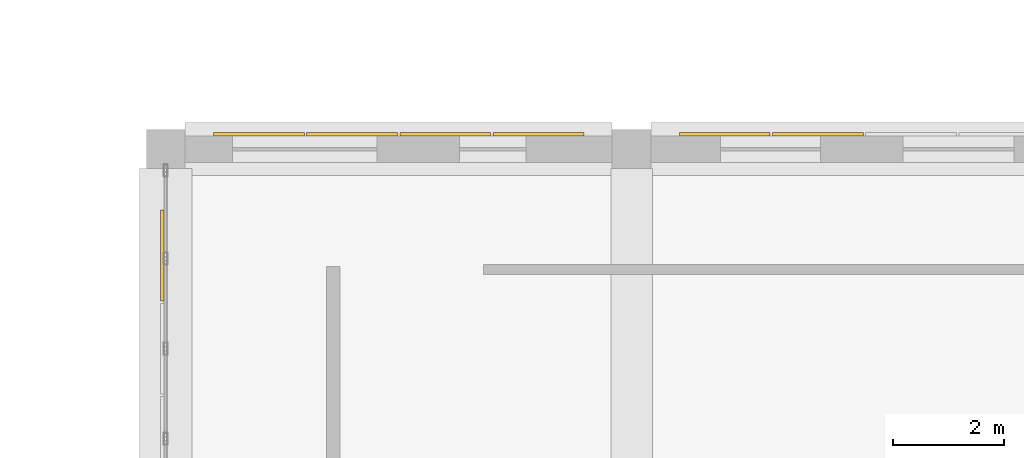
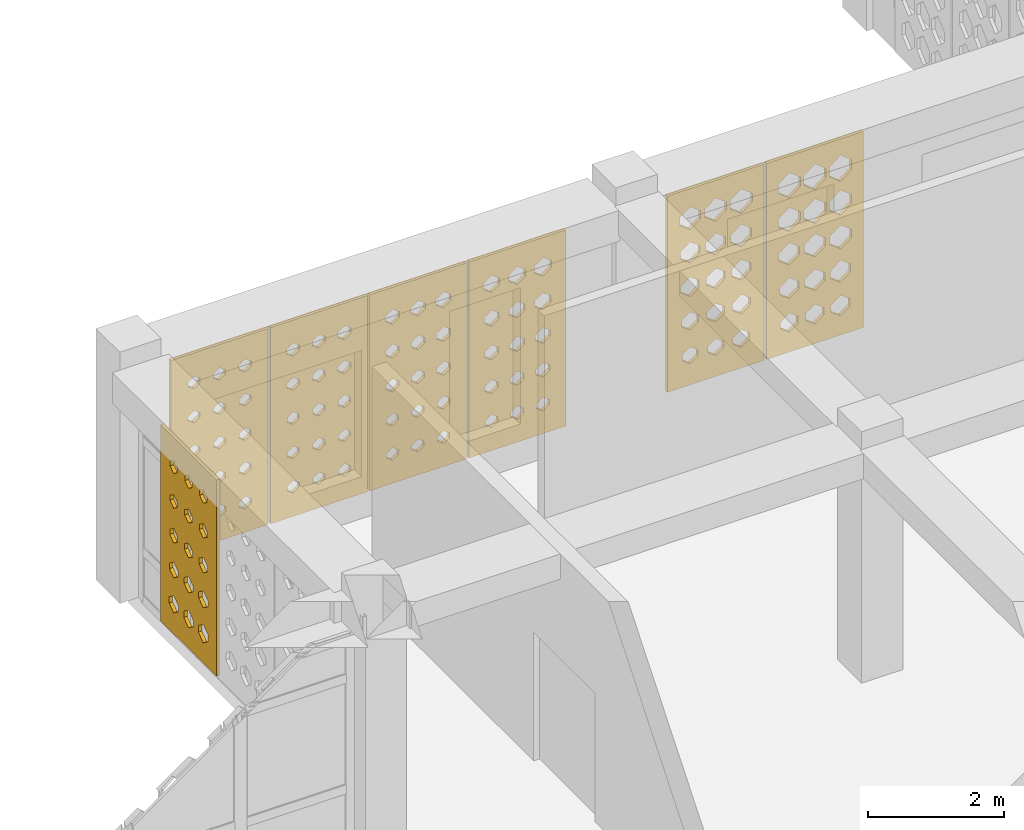
# One storey, part 88 of 100: 7 coverings.
"""IFC4 building model written with IfcOpenShell, lengths in metres."""

from ifc_helpers import new_model, si_unit, derived_unit, direction, frame, origin, place, context, subcontext, project, spatial, polyline, outline, extrude, material, layer, layer_set, type_object, element, save


model = new_model("IFC4")

# Units and contexts
model_context = context("Model", 3, precision=1e-05, world=origin(), true_north=direction((0.0, 1.0)))
body_context = subcontext(model_context, "Body", "Model", "MODEL_VIEW")
ifc_project = project(units=[si_unit("LENGTHUNIT", "METRE"), si_unit("AREAUNIT", "SQUARE_METRE"), si_unit("VOLUMEUNIT", "CUBIC_METRE"), si_unit("PLANEANGLEUNIT", "RADIAN"), si_unit("MASSUNIT", "GRAM", prefix="KILO"), derived_unit("THERMALTRANSMITTANCEUNIT", [(si_unit("POWERUNIT", "WATT"), 1), (si_unit("LENGTHUNIT", "METRE"), -2), (si_unit("THERMODYNAMICTEMPERATUREUNIT", "KELVIN"), -1)])], contexts=[model_context])

# Site, building, storey
site_placement = place(None, origin())
site = spatial("IfcSite", under=ifc_project, at=site_placement, CompositionType="ELEMENT")
building_placement = place(site_placement, origin())
building = spatial("IfcBuilding", under=site, at=building_placement, Name="Veybourne Emporium", CompositionType="ELEMENT")
storey_placement = place(building_placement, frame((0.0, 0.0, 14.39990234375)))
storey = spatial("IfcBuildingStorey", under=building, at=storey_placement, Name="L03", CompositionType="ELEMENT", Elevation=14.39990234375)

# Coverings
ifc_material = material(Name="Warm-White Perforated Aluminium Screen Alloy", Category="aluminium")
ifc_layer_1 = layer(ifc_material, 0.06005859375)
ifc_layer_set_1 = layer_set([ifc_layer_1], Name="Warm-White Perforated Aluminium Screen Alloy")
covering_type_1 = type_object("IfcCoveringType", Name="WaveScreen_SCR-01", PredefinedType="CLADDING", material=ifc_layer_set_1)
covering_1_placement = place(storey_placement, frame((23.52001953125, 86.697998046875, 1.815185546875), z_axis=(0.0, -1.0, 0.0), x_axis=(1.0, 0.0, 0.0)))
element("IfcCovering", 1, at=covering_1_placement, inside=storey, type_object=covering_type_1, Name="L03 wave-perforated aluminium screen SCR-01 (17.4)", PredefinedType="CLADDING", context=body_context, shape_type="SweptSolid", body=[
    extrude(outline(polyline([(-0.81982421875, -1.7548828125), (0.81982421875, -1.7548828125), (0.81982421875, 1.7548828125), (-0.81982421875, 1.7548828125), (-0.81982421875, -1.7548828125)]), holes=[polyline([(-0.433349609375, -1.11181640625), (-0.328369140625, -1.186279296875), (-0.328369140625, -1.269775390625), (-0.433349609375, -1.34423828125), (-0.538330078125, -1.269775390625), (-0.538330078125, -1.186279296875), (-0.433349609375, -1.11181640625)]), polyline([(-0.433349609375, -0.4912109375), (-0.322998046875, -0.56982421875), (-0.322998046875, -0.658203125), (-0.433349609375, -0.73681640625), (-0.543701171875, -0.658203125), (-0.543701171875, -0.56982421875), (-0.433349609375, -0.4912109375)]), polyline([(-0.433349609375, 0.131103515625), (-0.31591796875, 0.047119140625), (-0.31591796875, -0.047119140625), (-0.433349609375, -0.131103515625), (-0.55078125, -0.047119140625), (-0.55078125, 0.047119140625), (-0.433349609375, 0.131103515625)]), polyline([(-0.433349609375, 0.755615234375), (-0.3076171875, 0.6650390625), (-0.3076171875, 0.56298828125), (-0.433349609375, 0.472412109375), (-0.55908203125, 0.56298828125), (-0.55908203125, 0.6650390625), (-0.433349609375, 0.755615234375)]), polyline([(-0.433349609375, 1.381591796875), (-0.2978515625, 1.283203125), (-0.2978515625, 1.1728515625), (-0.433349609375, 1.074462890625), (-0.56884765625, 1.1728515625), (-0.56884765625, 1.283203125), (-0.433349609375, 1.381591796875)]), polyline([(0.0, -1.109130859375), (0.107421875, -1.185302734375), (0.107421875, -1.270751953125), (0.0, -1.346923828125), (-0.107421875, -1.270751953125), (-0.107421875, -1.185302734375), (0.0, -1.109130859375)]), polyline([(0.0, -0.48779296875), (0.11328125, -0.568603515625), (0.11328125, -0.659423828125), (0.0, -0.740234375), (-0.11328125, -0.659423828125), (-0.11328125, -0.568603515625), (0.0, -0.48779296875)]), polyline([(0.0, 0.1357421875), (0.12109375, 0.048828125), (0.12109375, -0.048828125), (0.0, -0.1357421875), (-0.12109375, -0.048828125), (-0.12109375, 0.048828125), (0.0, 0.1357421875)]), polyline([(0.0, 0.7607421875), (0.130126953125, 0.6669921875), (0.130126953125, 0.56103515625), (0.0, 0.46728515625), (-0.130126953125, 0.56103515625), (-0.130126953125, 0.6669921875), (0.0, 0.7607421875)]), polyline([(0.0, 1.38720703125), (0.140380859375, 1.285400390625), (0.140380859375, 1.170654296875), (0.0, 1.06884765625), (-0.140380859375, 1.170654296875), (-0.140380859375, 1.285400390625), (0.0, 1.38720703125)]), polyline([(0.433349609375, -1.10595703125), (0.543212890625, -1.18408203125), (0.543212890625, -1.27197265625), (0.433349609375, -1.35009765625), (0.323486328125, -1.27197265625), (0.323486328125, -1.18408203125), (0.433349609375, -1.10595703125)]), polyline([(0.433349609375, -0.483642578125), (0.550048828125, -0.567138671875), (0.550048828125, -0.660888671875), (0.433349609375, -0.744384765625), (0.316650390625, -0.660888671875), (0.316650390625, -0.567138671875), (0.433349609375, -0.483642578125)]), polyline([(0.433349609375, 0.140625), (0.558349609375, 0.050537109375), (0.558349609375, -0.050537109375), (0.433349609375, -0.140625), (0.308349609375, -0.050537109375), (0.308349609375, 0.050537109375), (0.433349609375, 0.140625)]), polyline([(0.433349609375, 0.766357421875), (0.568115234375, 0.668701171875), (0.568115234375, 0.55908203125), (0.433349609375, 0.461669921875), (0.298583984375, 0.55908203125), (0.298583984375, 0.668701171875), (0.433349609375, 0.766357421875)]), polyline([(0.433349609375, 1.393310546875), (0.57861328125, 1.28759765625), (0.57861328125, 1.16845703125), (0.433349609375, 1.062744140625), (0.2880859375, 1.16845703125), (0.2880859375, 1.28759765625), (0.433349609375, 1.393310546875)])]), origin(), (0.0, 0.0, 1.0), 0.06005859375),
])
covering_2_placement = place(storey_placement, frame((16.70703125, 84.47998046875, 1.815185546875), z_axis=(1.0, 0.0, 0.0), x_axis=(0.0, 1.0, 0.0)))
element("IfcCovering", 2, at=covering_2_placement, inside=storey, type_object=covering_type_1, Name="L03 wave-perforated aluminium screen SCR-01 (18C.3)", PredefinedType="CLADDING", context=body_context, shape_type="SweptSolid", body=[
    extrude(outline(polyline([(-0.81982421875, -1.7548828125), (0.81982421875, -1.7548828125), (0.81982421875, 1.7548828125), (-0.81982421875, 1.7548828125), (-0.81982421875, -1.7548828125)]), holes=[polyline([(-0.433349609375, -1.0634765625), (-0.288818359375, -1.168701171875), (-0.288818359375, -1.287109375), (-0.433349609375, -1.392578125), (-0.577880859375, -1.287109375), (-0.577880859375, -1.168701171875), (-0.433349609375, -1.0634765625)]), polyline([(-0.433349609375, -0.46240234375), (-0.29931640625, -0.559326171875), (-0.29931640625, -0.668701171875), (-0.433349609375, -0.765625), (-0.5673828125, -0.668701171875), (-0.5673828125, -0.559326171875), (-0.433349609375, -0.46240234375)]), polyline([(-0.433349609375, 0.139892578125), (-0.308837890625, 0.05029296875), (-0.308837890625, -0.05029296875), (-0.433349609375, -0.139892578125), (-0.557861328125, -0.05029296875), (-0.557861328125, 0.05029296875), (-0.433349609375, 0.139892578125)]), polyline([(-0.433349609375, 0.743896484375), (-0.317138671875, 0.660888671875), (-0.317138671875, 0.567138671875), (-0.433349609375, 0.484130859375), (-0.549560546875, 0.567138671875), (-0.549560546875, 0.660888671875), (-0.433349609375, 0.743896484375)]), polyline([(-0.433349609375, 1.349609375), (-0.32373046875, 1.271728515625), (-0.32373046875, 1.18408203125), (-0.433349609375, 1.1064453125), (-0.542724609375, 1.18408203125), (-0.542724609375, 1.271728515625), (-0.433349609375, 1.349609375)]), polyline([(0.0, -1.069580078125), (0.1396484375, -1.1708984375), (0.1396484375, -1.28515625), (0.0, -1.386474609375), (-0.1396484375, -1.28515625), (-0.1396484375, -1.1708984375), (0.0, -1.069580078125)]), polyline([(0.0, -0.4677734375), (0.129638671875, -0.561279296875), (0.129638671875, -0.66650390625), (0.0, -0.76025390625), (-0.129638671875, -0.66650390625), (-0.129638671875, -0.561279296875), (0.0, -0.4677734375)]), polyline([(0.0, 0.13525390625), (0.12060546875, 0.048583984375), (0.12060546875, -0.048583984375), (0.0, -0.13525390625), (-0.12060546875, -0.048583984375), (-0.12060546875, 0.048583984375), (0.0, 0.13525390625)]), polyline([(0.0, 0.739990234375), (0.113037109375, 0.6591796875), (0.113037109375, 0.568603515625), (0.0, 0.488037109375), (-0.113037109375, 0.568603515625), (-0.113037109375, 0.6591796875), (0.0, 0.739990234375)]), polyline([(0.0, 1.346435546875), (0.10693359375, 1.270751953125), (0.10693359375, 1.185302734375), (0.0, 1.109619140625), (-0.10693359375, 1.185302734375), (-0.10693359375, 1.270751953125), (0.0, 1.346435546875)]), polyline([(0.433349609375, -1.0751953125), (0.568359375, -1.173095703125), (0.568359375, -1.282958984375), (0.433349609375, -1.380859375), (0.29833984375, -1.282958984375), (0.29833984375, -1.173095703125), (0.433349609375, -1.0751953125)]), polyline([(0.433349609375, -0.472900390625), (0.55859375, -0.563232421875), (0.55859375, -0.664794921875), (0.433349609375, -0.7548828125), (0.30810546875, -0.664794921875), (0.30810546875, -0.563232421875), (0.433349609375, -0.472900390625)]), polyline([(0.433349609375, 0.130615234375), (0.55029296875, 0.047119140625), (0.55029296875, -0.047119140625), (0.433349609375, -0.130615234375), (0.31640625, -0.047119140625), (0.31640625, 0.047119140625), (0.433349609375, 0.130615234375)]), polyline([(0.433349609375, 0.736328125), (0.54345703125, 0.657958984375), (0.54345703125, 0.570068359375), (0.433349609375, 0.49169921875), (0.3232421875, 0.570068359375), (0.3232421875, 0.657958984375), (0.433349609375, 0.736328125)]), polyline([(0.433349609375, 1.343994140625), (0.5380859375, 1.269775390625), (0.5380859375, 1.186279296875), (0.433349609375, 1.112060546875), (0.32861328125, 1.186279296875), (0.32861328125, 1.269775390625), (0.433349609375, 1.343994140625)])]), origin(), (0.0, 0.0, 1.0), 0.06005859375),
])
covering_3_placement = place(storey_placement, frame((26.8798828125, 86.697998046875, 1.815185546875), z_axis=(0.0, -1.0, 0.0), x_axis=(1.0, 0.0, 0.0)))
element("IfcCovering", 3, at=covering_3_placement, inside=storey, type_object=covering_type_1, Name="L03 wave-perforated aluminium screen SCR-01 (20.1)", PredefinedType="CLADDING", context=body_context, shape_type="SweptSolid", body=[
    extrude(outline(polyline([(-0.81982421875, -1.7548828125), (0.81982421875, -1.7548828125), (0.81982421875, 1.7548828125), (-0.81982421875, 1.7548828125), (-0.81982421875, -1.7548828125)]), holes=[polyline([(-0.433349609375, -1.080322265625), (-0.302490234375, -1.1748046875), (-0.302490234375, -1.281005859375), (-0.433349609375, -1.37548828125), (-0.564208984375, -1.281005859375), (-0.564208984375, -1.1748046875), (-0.433349609375, -1.080322265625)]), polyline([(-0.433349609375, -0.453857421875), (-0.29248046875, -0.556396484375), (-0.29248046875, -0.671630859375), (-0.433349609375, -0.774169921875), (-0.57421875, -0.671630859375), (-0.57421875, -0.556396484375), (-0.433349609375, -0.453857421875)]), polyline([(-0.433349609375, 0.173583984375), (-0.28125, 0.0625), (-0.28125, -0.0625), (-0.433349609375, -0.173583984375), (-0.585205078125, -0.0625), (-0.585205078125, 0.0625), (-0.433349609375, 0.173583984375)]), polyline([(-0.433349609375, 0.801513671875), (-0.27001953125, 0.681396484375), (-0.27001953125, 0.54638671875), (-0.433349609375, 0.426513671875), (-0.5966796875, 0.54638671875), (-0.5966796875, 0.681396484375), (-0.433349609375, 0.801513671875)]), polyline([(-0.433349609375, 1.4296875), (-0.25830078125, 1.300537109375), (-0.25830078125, 1.155517578125), (-0.433349609375, 1.0263671875), (-0.6083984375, 1.155517578125), (-0.6083984375, 1.300537109375), (-0.433349609375, 1.4296875)]), polyline([(0.0, -1.074951171875), (0.13525390625, -1.1728515625), (0.13525390625, -1.283203125), (0.0, -1.381103515625), (-0.13525390625, -1.283203125), (-0.13525390625, -1.1728515625), (0.0, -1.074951171875)]), polyline([(0.0, -0.447998046875), (0.14599609375, -0.55419921875), (0.14599609375, -0.673828125), (0.0, -0.780029296875), (-0.14599609375, -0.673828125), (-0.14599609375, -0.55419921875), (0.0, -0.447998046875)]), polyline([(0.0, 0.179931640625), (0.1572265625, 0.064697265625), (0.1572265625, -0.064697265625), (0.0, -0.179931640625), (-0.1572265625, -0.064697265625), (-0.1572265625, 0.064697265625), (0.0, 0.179931640625)]), polyline([(0.0, 0.80810546875), (0.168701171875, 0.683837890625), (0.168701171875, 0.544189453125), (0.0, 0.419921875), (-0.168701171875, 0.544189453125), (-0.168701171875, 0.683837890625), (0.0, 0.80810546875)]), polyline([(0.0, 1.43603515625), (0.18017578125, 1.302978515625), (0.18017578125, 1.153076171875), (0.0, 1.02001953125), (-0.18017578125, 1.153076171875), (-0.18017578125, 1.302978515625), (0.0, 1.43603515625)]), polyline([(0.433349609375, -1.069091796875), (0.5732421875, -1.1708984375), (0.5732421875, -1.28515625), (0.433349609375, -1.386962890625), (0.293212890625, -1.28515625), (0.293212890625, -1.1708984375), (0.433349609375, -1.069091796875)]), polyline([(0.433349609375, -0.441650390625), (0.584228515625, -0.552001953125), (0.584228515625, -0.676025390625), (0.433349609375, -0.786376953125), (0.282470703125, -0.676025390625), (0.282470703125, -0.552001953125), (0.433349609375, -0.441650390625)]), polyline([(0.433349609375, 0.186279296875), (0.595703125, 0.06689453125), (0.595703125, -0.06689453125), (0.433349609375, -0.186279296875), (0.27099609375, -0.06689453125), (0.27099609375, 0.06689453125), (0.433349609375, 0.186279296875)]), polyline([(0.433349609375, 0.814453125), (0.607421875, 0.68603515625), (0.607421875, 0.5419921875), (0.433349609375, 0.41357421875), (0.259521484375, 0.5419921875), (0.259521484375, 0.68603515625), (0.433349609375, 0.814453125)]), polyline([(0.433349609375, 1.4423828125), (0.61865234375, 1.30517578125), (0.61865234375, 1.15087890625), (0.433349609375, 1.013671875), (0.248046875, 1.15087890625), (0.248046875, 1.30517578125), (0.433349609375, 1.4423828125)])]), origin(), (0.0, 0.0, 1.0), 0.06005859375),
])
ifc_layer_2 = layer(ifc_material, 0.06005859375)
ifc_layer_set_2 = layer_set([ifc_layer_2], Name="Warm-White Perforated Aluminium Screen Alloy")
covering_type_2 = type_object("IfcCoveringType", Name="WaveScreen_SCR-02", PredefinedType="CLADDING", material=ifc_layer_set_2)
covering_4_placement = place(storey_placement, frame((18.47998046875, 86.697998046875, 1.815185546875), z_axis=(0.0, -1.0, 0.0), x_axis=(1.0, 0.0, 0.0)))
element("IfcCovering", 4, at=covering_4_placement, inside=storey, type_object=covering_type_2, Name="L03 wave-perforated aluminium screen SCR-02 (17.1)", PredefinedType="CLADDING", context=body_context, shape_type="SweptSolid", body=[
    extrude(outline(polyline([(-0.81982421875, -1.7548828125), (0.81982421875, -1.7548828125), (0.81982421875, 1.7548828125), (-0.81982421875, 1.7548828125), (-0.81982421875, -1.7548828125)]), holes=[polyline([(-0.433349609375, -1.107177734375), (-0.324462890625, -1.1845703125), (-0.324462890625, -1.271484375), (-0.433349609375, -1.348876953125), (-0.542236328125, -1.271484375), (-0.542236328125, -1.1845703125), (-0.433349609375, -1.107177734375)]), polyline([(-0.433349609375, -0.4990234375), (-0.329345703125, -0.572509765625), (-0.329345703125, -0.655517578125), (-0.433349609375, -0.72900390625), (-0.537353515625, -0.655517578125), (-0.537353515625, -0.572509765625), (-0.433349609375, -0.4990234375)]), polyline([(-0.433349609375, 0.111083984375), (-0.332275390625, 0.0400390625), (-0.332275390625, -0.0400390625), (-0.433349609375, -0.111083984375), (-0.5341796875, -0.0400390625), (-0.5341796875, 0.0400390625), (-0.433349609375, 0.111083984375)]), polyline([(-0.433349609375, 0.72412109375), (-0.333251953125, 0.653564453125), (-0.333251953125, 0.574462890625), (-0.433349609375, 0.50390625), (-0.533203125, 0.574462890625), (-0.533203125, 0.653564453125), (-0.433349609375, 0.72412109375)]), polyline([(-0.433349609375, 1.339111328125), (-0.33251953125, 1.26806640625), (-0.33251953125, 1.18798828125), (-0.433349609375, 1.11669921875), (-0.5341796875, 1.18798828125), (-0.5341796875, 1.26806640625), (-0.433349609375, 1.339111328125)]), polyline([(0.0, -1.110107421875), (0.1064453125, -1.185546875), (0.1064453125, -1.2705078125), (0.0, -1.345703125), (-0.1064453125, -1.2705078125), (-0.1064453125, -1.185546875), (0.0, -1.110107421875)]), polyline([(0.0, -0.501220703125), (0.102294921875, -0.5732421875), (0.102294921875, -0.65478515625), (0.0, -0.726806640625), (-0.102294921875, -0.65478515625), (-0.102294921875, -0.5732421875), (0.0, -0.501220703125)]), polyline([(0.0, 0.1103515625), (0.100341796875, 0.039794921875), (0.100341796875, -0.039794921875), (0.0, -0.1103515625), (-0.100341796875, -0.039794921875), (-0.100341796875, 0.039794921875), (0.0, 0.1103515625)]), polyline([(0.0, 0.72412109375), (0.10009765625, 0.65380859375), (0.10009765625, 0.57421875), (0.0, 0.50390625), (-0.10009765625, 0.57421875), (-0.10009765625, 0.65380859375), (0.0, 0.72412109375)]), polyline([(0.0, 1.340576171875), (0.10205078125, 1.2685546875), (0.10205078125, 1.1875), (0.0, 1.115478515625), (-0.10205078125, 1.1875), (-0.10205078125, 1.2685546875), (0.0, 1.340576171875)]), polyline([(0.433349609375, -1.11279296875), (0.53759765625, -1.1865234375), (0.53759765625, -1.26953125), (0.433349609375, -1.34326171875), (0.3291015625, -1.26953125), (0.3291015625, -1.1865234375), (0.433349609375, -1.11279296875)]), polyline([(0.433349609375, -0.50244140625), (0.534423828125, -0.573974609375), (0.534423828125, -0.654052734375), (0.433349609375, -0.7255859375), (0.33203125, -0.654052734375), (0.33203125, -0.573974609375), (0.433349609375, -0.50244140625)]), polyline([(0.433349609375, 0.110107421875), (0.533203125, 0.03955078125), (0.533203125, -0.03955078125), (0.433349609375, -0.110107421875), (0.333251953125, -0.03955078125), (0.333251953125, 0.03955078125), (0.433349609375, 0.110107421875)]), polyline([(0.433349609375, 0.72509765625), (0.5341796875, 0.654052734375), (0.5341796875, 0.573974609375), (0.433349609375, 0.5029296875), (0.33251953125, 0.573974609375), (0.33251953125, 0.654052734375), (0.433349609375, 0.72509765625)]), polyline([(0.433349609375, 1.34228515625), (0.536865234375, 1.269287109375), (0.536865234375, 1.186767578125), (0.433349609375, 1.113525390625), (0.329833984375, 1.186767578125), (0.329833984375, 1.269287109375), (0.433349609375, 1.34228515625)])]), origin(), (0.0, 0.0, 1.0), 0.06005859375),
])
covering_5_placement = place(storey_placement, frame((28.56005859375, 86.697998046875, 1.815185546875), z_axis=(0.0, -1.0, 0.0), x_axis=(1.0, 0.0, 0.0)))
element("IfcCovering", 5, at=covering_5_placement, inside=storey, type_object=covering_type_2, Name="L03 wave-perforated aluminium screen SCR-02 (20.2)", PredefinedType="CLADDING", context=body_context, shape_type="SweptSolid", body=[
    extrude(outline(polyline([(-0.81982421875, -1.7548828125), (0.81982421875, -1.7548828125), (0.81982421875, 1.7548828125), (-0.81982421875, 1.7548828125), (-0.81982421875, -1.7548828125)]), holes=[polyline([(-0.433349609375, -1.057861328125), (-0.2841796875, -1.166748046875), (-0.2841796875, -1.289306640625), (-0.433349609375, -1.398193359375), (-0.58251953125, -1.289306640625), (-0.58251953125, -1.166748046875), (-0.433349609375, -1.057861328125)]), polyline([(-0.433349609375, -0.429931640625), (-0.272705078125, -0.547607421875), (-0.272705078125, -0.680419921875), (-0.433349609375, -0.798095703125), (-0.593994140625, -0.680419921875), (-0.593994140625, -0.547607421875), (-0.433349609375, -0.429931640625)]), polyline([(-0.433349609375, 0.1982421875), (-0.260986328125, 0.0712890625), (-0.260986328125, -0.0712890625), (-0.433349609375, -0.1982421875), (-0.605712890625, -0.0712890625), (-0.605712890625, 0.0712890625), (-0.433349609375, 0.1982421875)]), polyline([(-0.433349609375, 0.826416015625), (-0.24951171875, 0.6904296875), (-0.24951171875, 0.53759765625), (-0.433349609375, 0.401611328125), (-0.616943359375, 0.53759765625), (-0.616943359375, 0.6904296875), (-0.433349609375, 0.826416015625)]), polyline([(-0.433349609375, 1.45361328125), (-0.2470703125, 1.309326171875), (-0.2470703125, 1.146728515625), (-0.433349609375, 1.002197265625), (-0.61962890625, 1.146728515625), (-0.61962890625, 1.309326171875), (-0.433349609375, 1.45361328125)]), polyline([(0.0, -1.051513671875), (0.154296875, -1.16455078125), (0.154296875, -1.29150390625), (0.0, -1.404541015625), (-0.154296875, -1.29150390625), (-0.154296875, -1.16455078125), (0.0, -1.051513671875)]), polyline([(0.0, -0.42333984375), (0.166015625, -0.54541015625), (0.166015625, -0.6826171875), (0.0, -0.8046875), (-0.166015625, -0.6826171875), (-0.166015625, -0.54541015625), (0.0, -0.42333984375)]), polyline([(0.0, 0.20458984375), (0.177490234375, 0.07373046875), (0.177490234375, -0.07373046875), (0.0, -0.20458984375), (-0.177490234375, -0.07373046875), (-0.177490234375, 0.07373046875), (0.0, 0.20458984375)]), polyline([(0.0, 0.83251953125), (0.186279296875, 0.692626953125), (0.186279296875, 0.535400390625), (0.0, 0.3955078125), (-0.186279296875, 0.535400390625), (-0.186279296875, 0.692626953125), (0.0, 0.83251953125)]), polyline([(0.0, 1.45947265625), (0.186279296875, 1.311279296875), (0.186279296875, 1.144775390625), (0.0, 0.99658203125), (-0.186279296875, 1.144775390625), (-0.186279296875, 1.311279296875), (0.0, 1.45947265625)]), polyline([(0.433349609375, -1.045166015625), (0.593017578125, -1.162109375), (0.593017578125, -1.293701171875), (0.433349609375, -1.410888671875), (0.273681640625, -1.293701171875), (0.273681640625, -1.162109375), (0.433349609375, -1.045166015625)]), polyline([(0.433349609375, -0.4169921875), (0.6044921875, -0.543212890625), (0.6044921875, -0.684814453125), (0.433349609375, -0.81103515625), (0.26220703125, -0.684814453125), (0.26220703125, -0.543212890625), (0.433349609375, -0.4169921875)]), polyline([(0.433349609375, 0.2109375), (0.615966796875, 0.075927734375), (0.615966796875, -0.075927734375), (0.433349609375, -0.2109375), (0.250732421875, -0.075927734375), (0.250732421875, 0.075927734375), (0.433349609375, 0.2109375)]), polyline([(0.433349609375, 0.83837890625), (0.61962890625, 0.69482421875), (0.61962890625, 0.533203125), (0.433349609375, 0.389404296875), (0.2470703125, 0.533203125), (0.2470703125, 0.69482421875), (0.433349609375, 0.83837890625)]), polyline([(0.433349609375, 1.465087890625), (0.61962890625, 1.313232421875), (0.61962890625, 1.142578125), (0.433349609375, 0.990966796875), (0.2470703125, 1.142578125), (0.2470703125, 1.313232421875), (0.433349609375, 1.465087890625)])]), origin(), (0.0, 0.0, 1.0), 0.06005859375),
])
ifc_layer_3 = layer(ifc_material, 0.06005859375)
ifc_layer_set_3 = layer_set([ifc_layer_3], Name="Warm-White Perforated Aluminium Screen Alloy")
covering_type_3 = type_object("IfcCoveringType", Name="WaveScreen_SCR-03", PredefinedType="CLADDING", material=ifc_layer_set_3)
covering_6_placement = place(storey_placement, frame((20.159912109375, 86.697998046875, 1.815185546875), z_axis=(0.0, -1.0, 0.0), x_axis=(1.0, 0.0, 0.0)))
element("IfcCovering", 6, at=covering_6_placement, inside=storey, type_object=covering_type_3, Name="L03 wave-perforated aluminium screen SCR-03 (17.2)", PredefinedType="CLADDING", context=body_context, shape_type="SweptSolid", body=[
    extrude(outline(polyline([(-0.81982421875, -1.7548828125), (0.81982421875, -1.7548828125), (0.81982421875, 1.7548828125), (-0.81982421875, 1.7548828125), (-0.81982421875, -1.7548828125)]), holes=[polyline([(-0.433349609375, -1.1162109375), (-0.331787109375, -1.187744140625), (-0.331787109375, -1.268310546875), (-0.433349609375, -1.33984375), (-0.534912109375, -1.268310546875), (-0.534912109375, -1.187744140625), (-0.433349609375, -1.1162109375)]), polyline([(-0.433349609375, -0.50390625), (-0.333251953125, -0.574462890625), (-0.333251953125, -0.653564453125), (-0.433349609375, -0.72412109375), (-0.533447265625, -0.653564453125), (-0.533447265625, -0.574462890625), (-0.433349609375, -0.50390625)]), polyline([(-0.433349609375, 0.110595703125), (-0.332763671875, 0.039794921875), (-0.332763671875, -0.039794921875), (-0.433349609375, -0.110595703125), (-0.533935546875, -0.039794921875), (-0.533935546875, 0.039794921875), (-0.433349609375, 0.110595703125)]), polyline([(-0.433349609375, 0.727783203125), (-0.330322265625, 0.65478515625), (-0.330322265625, 0.572998046875), (-0.433349609375, 0.500244140625), (-0.536376953125, 0.572998046875), (-0.536376953125, 0.65478515625), (-0.433349609375, 0.727783203125)]), polyline([(-0.433349609375, 1.34716796875), (-0.325927734375, 1.27099609375), (-0.325927734375, 1.18505859375), (-0.433349609375, 1.10888671875), (-0.540771484375, 1.18505859375), (-0.540771484375, 1.27099609375), (-0.433349609375, 1.34716796875)]), polyline([(0.0, -1.1171875), (0.1005859375, -1.18798828125), (0.1005859375, -1.267822265625), (0.0, -1.3388671875), (-0.1005859375, -1.267822265625), (-0.1005859375, -1.18798828125), (0.0, -1.1171875)]), polyline([(0.0, -0.50390625), (0.10009765625, -0.574462890625), (0.10009765625, -0.653564453125), (0.0, -0.72412109375), (-0.10009765625, -0.653564453125), (-0.10009765625, -0.574462890625), (0.0, -0.50390625)]), polyline([(0.0, 0.11181640625), (0.101318359375, 0.040283203125), (0.101318359375, -0.040283203125), (0.0, -0.11181640625), (-0.101318359375, -0.040283203125), (-0.101318359375, 0.040283203125), (0.0, 0.11181640625)]), polyline([(0.0, 0.72998046875), (0.104736328125, 0.65576171875), (0.104736328125, 0.572265625), (0.0, 0.498046875), (-0.104736328125, 0.572265625), (-0.104736328125, 0.65576171875), (0.0, 0.72998046875)]), polyline([(0.0, 1.35009765625), (0.110107421875, 1.27197265625), (0.110107421875, 1.18408203125), (0.0, 1.105712890625), (-0.110107421875, 1.18408203125), (-0.110107421875, 1.27197265625), (0.0, 1.35009765625)]), polyline([(0.433349609375, -1.117919921875), (0.533447265625, -1.188232421875), (0.533447265625, -1.267578125), (0.433349609375, -1.338134765625), (0.333251953125, -1.267578125), (0.333251953125, -1.188232421875), (0.433349609375, -1.117919921875)]), polyline([(0.433349609375, -0.50341796875), (0.53369140625, -0.57421875), (0.53369140625, -0.65380859375), (0.433349609375, -0.724609375), (0.3330078125, -0.65380859375), (0.3330078125, -0.57421875), (0.433349609375, -0.50341796875)]), polyline([(0.433349609375, 0.11328125), (0.5361328125, 0.040771484375), (0.5361328125, -0.040771484375), (0.433349609375, -0.11328125), (0.33056640625, -0.040771484375), (0.33056640625, 0.040771484375), (0.433349609375, 0.11328125)]), polyline([(0.433349609375, 0.732421875), (0.540283203125, 0.65673828125), (0.540283203125, 0.5712890625), (0.433349609375, 0.49560546875), (0.326416015625, 0.5712890625), (0.326416015625, 0.65673828125), (0.433349609375, 0.732421875)]), polyline([(0.433349609375, 1.353759765625), (0.54638671875, 1.273193359375), (0.54638671875, 1.1826171875), (0.433349609375, 1.102294921875), (0.3203125, 1.1826171875), (0.3203125, 1.273193359375), (0.433349609375, 1.353759765625)])]), origin(), (0.0, 0.0, 1.0), 0.06005859375),
])
ifc_layer_4 = layer(ifc_material, 0.06005859375)
ifc_layer_set_4 = layer_set([ifc_layer_4], Name="Warm-White Perforated Aluminium Screen Alloy")
covering_type_4 = type_object("IfcCoveringType", Name="WaveScreen_SCR-04", PredefinedType="CLADDING", material=ifc_layer_set_4)
covering_7_placement = place(storey_placement, frame((21.840087890625, 86.697998046875, 1.815185546875), z_axis=(0.0, -1.0, 0.0), x_axis=(1.0, 0.0, 0.0)))
element("IfcCovering", 7, at=covering_7_placement, inside=storey, type_object=covering_type_4, Name="L03 wave-perforated aluminium screen SCR-04 (17.3)", PredefinedType="CLADDING", context=body_context, shape_type="SweptSolid", body=[
    extrude(outline(polyline([(-0.81982421875, -1.7548828125), (0.81982421875, -1.7548828125), (0.81982421875, 1.7548828125), (-0.81982421875, 1.7548828125), (-0.81982421875, -1.7548828125)]), holes=[polyline([(-0.433349609375, -1.11767578125), (-0.3330078125, -1.188232421875), (-0.3330078125, -1.267578125), (-0.433349609375, -1.33837890625), (-0.53369140625, -1.267578125), (-0.53369140625, -1.188232421875), (-0.433349609375, -1.11767578125)]), polyline([(-0.433349609375, -0.501220703125), (-0.3310546875, -0.573486328125), (-0.3310546875, -0.654541015625), (-0.433349609375, -0.726806640625), (-0.53564453125, -0.654541015625), (-0.53564453125, -0.573486328125), (-0.433349609375, -0.501220703125)]), polyline([(-0.433349609375, 0.11767578125), (-0.3271484375, 0.042236328125), (-0.3271484375, -0.042236328125), (-0.433349609375, -0.11767578125), (-0.53955078125, -0.042236328125), (-0.53955078125, 0.042236328125), (-0.433349609375, 0.11767578125)]), polyline([(-0.433349609375, 0.738525390625), (-0.3212890625, 0.65869140625), (-0.3212890625, 0.569091796875), (-0.433349609375, 0.489501953125), (-0.54541015625, 0.569091796875), (-0.54541015625, 0.65869140625), (-0.433349609375, 0.738525390625)]), polyline([(-0.433349609375, 1.361572265625), (-0.31396484375, 1.276123046875), (-0.31396484375, 1.179931640625), (-0.433349609375, 1.094482421875), (-0.552490234375, 1.179931640625), (-0.552490234375, 1.276123046875), (-0.433349609375, 1.361572265625)]), polyline([(0.0, -1.116943359375), (0.100830078125, -1.18798828125), (0.100830078125, -1.26806640625), (0.0, -1.339111328125), (-0.100830078125, -1.26806640625), (-0.100830078125, -1.18798828125), (0.0, -1.116943359375)]), polyline([(0.0, -0.499267578125), (0.103759765625, -0.57275390625), (0.103759765625, -0.6552734375), (0.0, -0.728759765625), (-0.103759765625, -0.6552734375), (-0.103759765625, -0.57275390625), (0.0, -0.499267578125)]), polyline([(0.0, 0.12060546875), (0.108642578125, 0.04345703125), (0.108642578125, -0.04345703125), (0.0, -0.12060546875), (-0.108642578125, -0.04345703125), (-0.108642578125, 0.04345703125), (0.0, 0.12060546875)]), polyline([(0.0, 0.742431640625), (0.114990234375, 0.66015625), (0.114990234375, 0.56787109375), (0.0, 0.485595703125), (-0.114990234375, 0.56787109375), (-0.114990234375, 0.66015625), (0.0, 0.742431640625)]), polyline([(0.0, 1.3662109375), (0.123046875, 1.27783203125), (0.123046875, 1.17822265625), (0.0, 1.089599609375), (-0.123046875, 1.17822265625), (-0.123046875, 1.27783203125), (0.0, 1.3662109375)]), polyline([(0.433349609375, -1.115478515625), (0.535400390625, -1.1875), (0.535400390625, -1.2685546875), (0.433349609375, -1.34033203125), (0.331298828125, -1.2685546875), (0.331298828125, -1.1875), (0.433349609375, -1.115478515625)]), polyline([(0.433349609375, -0.4970703125), (0.5390625, -0.572021484375), (0.5390625, -0.656005859375), (0.433349609375, -0.73095703125), (0.32763671875, -0.656005859375), (0.32763671875, -0.572021484375), (0.433349609375, -0.4970703125)]), polyline([(0.433349609375, 0.123779296875), (0.544677734375, 0.044677734375), (0.544677734375, -0.044677734375), (0.433349609375, -0.123779296875), (0.322021484375, -0.044677734375), (0.322021484375, 0.044677734375), (0.433349609375, 0.123779296875)]), polyline([(0.433349609375, 0.74658203125), (0.552001953125, 0.661865234375), (0.552001953125, 0.566162109375), (0.433349609375, 0.481201171875), (0.314697265625, 0.566162109375), (0.314697265625, 0.661865234375), (0.433349609375, 0.74658203125)]), polyline([(0.433349609375, 1.371337890625), (0.560546875, 1.279541015625), (0.560546875, 1.176513671875), (0.433349609375, 1.084716796875), (0.30615234375, 1.176513671875), (0.30615234375, 1.279541015625), (0.433349609375, 1.371337890625)])]), origin(), (0.0, 0.0, 1.0), 0.06005859375),
])

save(model, "model.ifc")
